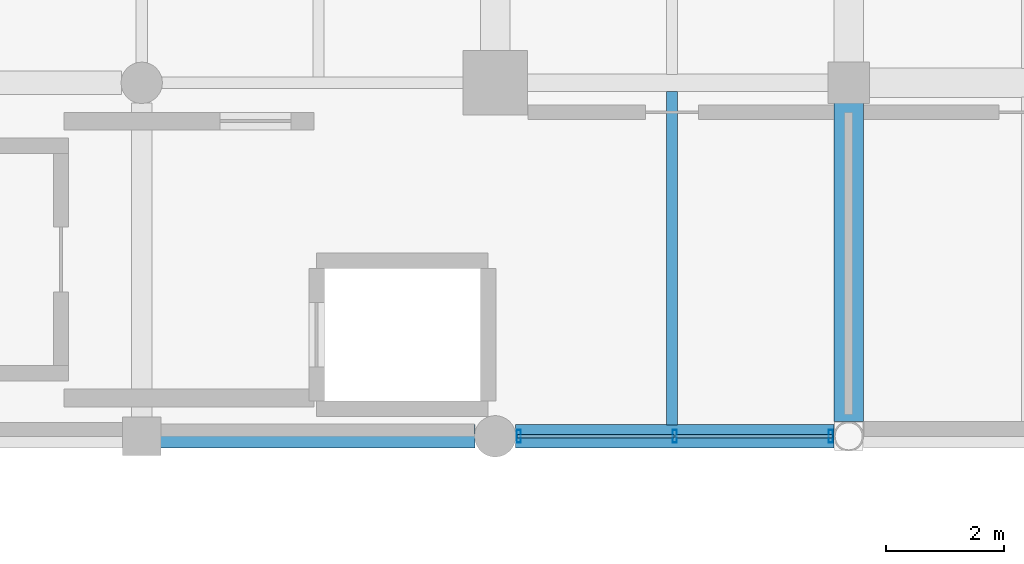
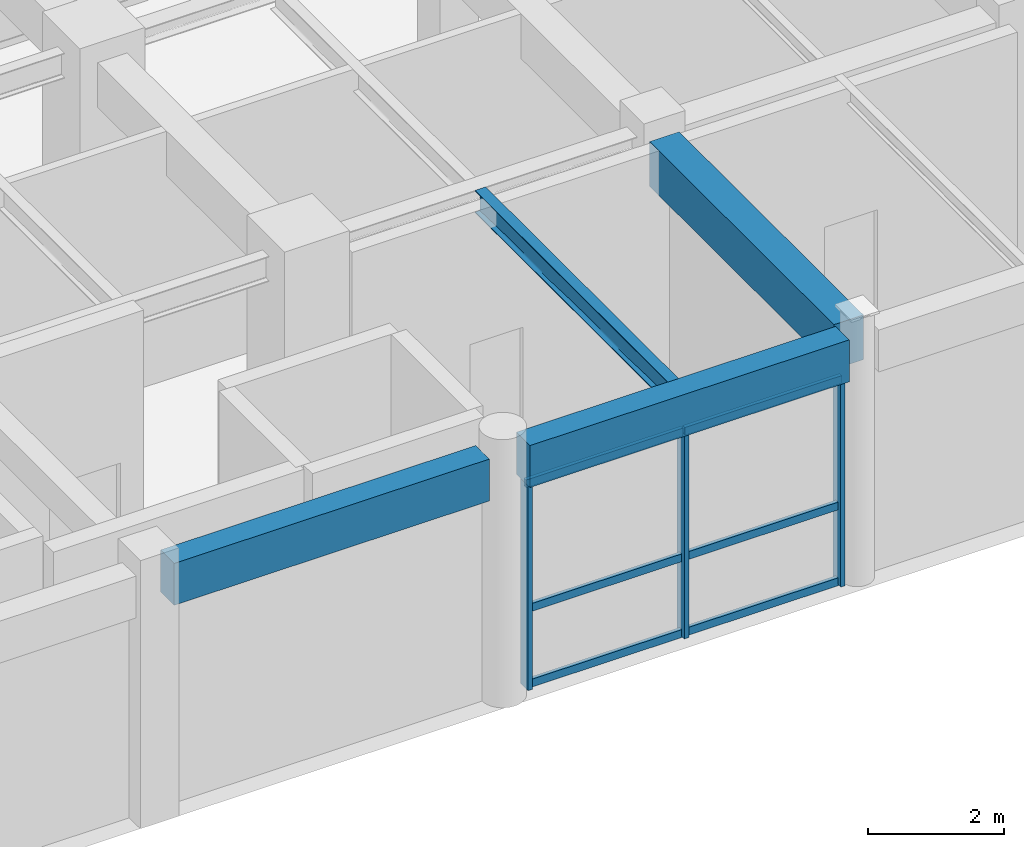
# One storey, part 59 of 123: 9 members, 4 beams, 1 element without a shape of its own.
"""IFC4 building model written with IfcOpenShell, lengths in metres."""

from ifc_helpers import new_model, si_unit, direction, frame, origin, origin_2d, place, context, subcontext, project, spatial, rectangle, hollow_rectangle, i_section, extrude, material, material_profile, profile_set, type_object, element, aggregate, save


model = new_model("IFC4")

# Units and contexts
model_context = context("Model", 3, precision=1e-05, world=origin(), true_north=direction((0.0, 1.0)))
body_context = subcontext(model_context, "Body", "Model", "MODEL_VIEW")
ifc_project = project(units=[si_unit("LENGTHUNIT", "METRE"), si_unit("AREAUNIT", "SQUARE_METRE"), si_unit("VOLUMEUNIT", "CUBIC_METRE"), si_unit("PLANEANGLEUNIT", "RADIAN"), si_unit("MASSUNIT", "GRAM", prefix="KILO"), si_unit("THERMODYNAMICTEMPERATUREUNIT", "KELVIN"), si_unit("POWERUNIT", "WATT")], contexts=[model_context])

# Site, building, storey
site_placement = place(None, origin())
site = spatial("IfcSite", under=ifc_project, at=site_placement, CompositionType="ELEMENT")
building_placement = place(site_placement, origin())
building = spatial("IfcBuilding", under=site, at=building_placement, Name="Phaisarnlok Congress Hotel", CompositionType="ELEMENT")
storey_placement = place(building_placement, frame((0.0, 0.0, 15.0)))
storey = spatial("IfcBuildingStorey", under=building, at=storey_placement, Name="L03", CompositionType="ELEMENT", Elevation=15.0)

# Beam
ifc_material_1 = material(Name="Concrete C40/50", Category="concrete")
ifc_material_profile_1 = material_profile(ifc_material_1, rectangle(XDim=0.5, YDim=0.800048828125, at=origin_2d()), Name="RC 500x800")
ifc_profile_set_1 = profile_set([ifc_material_profile_1], Name="Concrete C40/50")
beam_type_1 = type_object("IfcBeamType", Name="BM-RC-500x800", PredefinedType="BEAM", material=ifc_profile_set_1)
beam_1_placement = place(storey_placement, frame((126.0, 108.2490234375, 4.050048828125), z_axis=(0.0, 1.0, 0.0), x_axis=(-1.0, 0.0, 0.0)))
element("IfcBeam", 1, at=beam_1_placement, inside=storey, type_object=beam_type_1, Name="Beam B-04", PredefinedType="BEAM", context=body_context, shape_type="SweptSolid", body=[
    extrude(rectangle(XDim=0.5, YDim=0.800048828125, at=origin_2d()), origin(), (0.0, 0.0, 1.0), 5.406005859375),
])

# Curtain wall, members
ifc_material_2 = material(Name="Thermally Broken Unitised Aluminium & Low-E Glazing", Category="aluminium")
curtain_wall_type = type_object("IfcCurtainWallType", Name="CW-UNIT-31", PredefinedType="NOTDEFINED", material=ifc_material_2)
curtain_wall_placement = place(storey_placement, origin())
curtain_wall = element("IfcCurtainWall", 2, at=curtain_wall_placement, inside=storey, type_object=curtain_wall_type, Name="Unitised curtain wall CW-31 (L03)", PredefinedType="NOTDEFINED")
ifc_material_3 = material(Name="Anodised Aluminium Alloy 6063-T6", Category="aluminium")
ifc_material_profile_2 = material_profile(ifc_material_3, hollow_rectangle(XDim=0.074951171875, YDim=0.219970703125, WallThickness=0.0048828125, at=origin_2d()), Name="ALU-M 75x220x5")
ifc_profile_set_2 = profile_set([ifc_material_profile_2], Name="Anodised Aluminium Alloy 6063-T6")
member_type_1 = type_object("IfcMemberType", Name="CWM-220", PredefinedType="MULLION", material=ifc_profile_set_2)
member_1_placement = place(storey_placement, frame((120.39990234375, 108.0, 0.0), z_axis=(0.0, 0.0, 1.0), x_axis=(1.0, 0.0, 0.0)))
member_1 = element("IfcMember", 3, at=member_1_placement, type_object=member_type_1, Name="Curtain wall mullion CWM-02", PredefinedType="MULLION", context=body_context, shape_type="SweptSolid", body=[
    extrude(hollow_rectangle(XDim=0.074951171875, YDim=0.219970703125, WallThickness=0.0048828125, at=origin_2d()), origin(), (0.0, 0.0, 1.0), 3.699951171875),
])
member_2_placement = place(storey_placement, frame((123.048095703125, 108.0, 0.0), z_axis=(0.0, 0.0, 1.0), x_axis=(1.0, 0.0, 0.0)))
member_2 = element("IfcMember", 4, at=member_2_placement, type_object=member_type_1, Name="Curtain wall mullion CWM-02", PredefinedType="MULLION", context=body_context, shape_type="SweptSolid", body=[
    extrude(hollow_rectangle(XDim=0.074951171875, YDim=0.219970703125, WallThickness=0.0048828125, at=origin_2d()), origin(), (0.0, 0.0, 1.0), 3.699951171875),
])
member_3_placement = place(storey_placement, frame((125.696044921875, 108.0, 0.0), z_axis=(0.0, 0.0, 1.0), x_axis=(1.0, 0.0, 0.0)))
member_3 = element("IfcMember", 5, at=member_3_placement, type_object=member_type_1, Name="Curtain wall mullion CWM-02", PredefinedType="MULLION", context=body_context, shape_type="SweptSolid", body=[
    extrude(hollow_rectangle(XDim=0.074951171875, YDim=0.219970703125, WallThickness=0.0048828125, at=origin_2d()), origin(), (0.0, 0.0, 1.0), 3.699951171875),
])
ifc_material_profile_3 = material_profile(ifc_material_3, hollow_rectangle(XDim=0.06494140625, YDim=0.139892578125, WallThickness=0.00390625, at=origin_2d()), Name="ALU-T 65x140x4")
ifc_profile_set_3 = profile_set([ifc_material_profile_3], Name="Anodised Aluminium Alloy 6063-T6")
member_type_2 = type_object("IfcMemberType", Name="CWT-150", PredefinedType="USERDEFINED", material=ifc_profile_set_3)
member_4_placement = place(storey_placement, frame((120.375, 108.0, 0.050048828125), z_axis=(1.0, 0.0, 0.0), x_axis=(0.0, 1.0, 0.0)))
member_4 = element("IfcMember", 6, at=member_4_placement, type_object=member_type_2, Name="Curtain wall transom CWT-01", ObjectType="TRANSOM", PredefinedType="USERDEFINED", context=body_context, shape_type="SweptSolid", body=[
    extrude(hollow_rectangle(XDim=0.06494140625, YDim=0.139892578125, WallThickness=0.00390625, at=origin_2d()), origin(), (0.0, 0.0, 1.0), 2.657958984375),
])
member_5_placement = place(storey_placement, frame((120.375, 108.0, 1.406005859375), z_axis=(1.0, 0.0, 0.0), x_axis=(0.0, 1.0, 0.0)))
member_5 = element("IfcMember", 7, at=member_5_placement, type_object=member_type_2, Name="Curtain wall transom CWT-01", ObjectType="TRANSOM", PredefinedType="USERDEFINED", context=body_context, shape_type="SweptSolid", body=[
    extrude(hollow_rectangle(XDim=0.06494140625, YDim=0.139892578125, WallThickness=0.00390625, at=origin_2d()), origin(), (0.0, 0.0, 1.0), 2.657958984375),
])
member_6_placement = place(storey_placement, frame((120.375, 108.0, 3.64990234375), z_axis=(1.0, 0.0, 0.0), x_axis=(0.0, 1.0, 0.0)))
member_6 = element("IfcMember", 8, at=member_6_placement, type_object=member_type_2, Name="Curtain wall transom CWT-01", ObjectType="TRANSOM", PredefinedType="USERDEFINED", context=body_context, shape_type="SweptSolid", body=[
    extrude(hollow_rectangle(XDim=0.06494140625, YDim=0.139892578125, WallThickness=0.00390625, at=origin_2d()), origin(), (0.0, 0.0, 1.0), 2.657958984375),
])
member_7_placement = place(storey_placement, frame((123.06298828125, 108.0, 0.050048828125), z_axis=(1.0, 0.0, 0.0), x_axis=(0.0, 1.0, 0.0)))
member_7 = element("IfcMember", 9, at=member_7_placement, type_object=member_type_2, Name="Curtain wall transom CWT-01", ObjectType="TRANSOM", PredefinedType="USERDEFINED", context=body_context, shape_type="SweptSolid", body=[
    extrude(hollow_rectangle(XDim=0.06494140625, YDim=0.139892578125, WallThickness=0.00390625, at=origin_2d()), origin(), (0.0, 0.0, 1.0), 2.657958984375),
])
member_8_placement = place(storey_placement, frame((123.06298828125, 108.0, 1.406005859375), z_axis=(1.0, 0.0, 0.0), x_axis=(0.0, 1.0, 0.0)))
member_8 = element("IfcMember", 10, at=member_8_placement, type_object=member_type_2, Name="Curtain wall transom CWT-01", ObjectType="TRANSOM", PredefinedType="USERDEFINED", context=body_context, shape_type="SweptSolid", body=[
    extrude(hollow_rectangle(XDim=0.06494140625, YDim=0.139892578125, WallThickness=0.00390625, at=origin_2d()), origin(), (0.0, 0.0, 1.0), 2.657958984375),
])
member_9_placement = place(storey_placement, frame((123.06298828125, 108.0, 3.64990234375), z_axis=(1.0, 0.0, 0.0), x_axis=(0.0, 1.0, 0.0)))
member_9 = element("IfcMember", 11, at=member_9_placement, type_object=member_type_2, Name="Curtain wall transom CWT-01", ObjectType="TRANSOM", PredefinedType="USERDEFINED", context=body_context, shape_type="SweptSolid", body=[
    extrude(hollow_rectangle(XDim=0.06494140625, YDim=0.139892578125, WallThickness=0.00390625, at=origin_2d()), origin(), (0.0, 0.0, 1.0), 2.657958984375),
])
aggregate(curtain_wall, [member_1, member_2, member_3, member_4, member_5, member_6, member_7, member_8, member_9])

# Beams
ifc_material_4 = material(Name="Steel S355", Category="steel")
ifc_material_profile_4 = material_profile(ifc_material_4, i_section(OverallWidth=0.179931640625, OverallDepth=0.39990234375, WebThickness=0.008544921875, FlangeThickness=0.013427734375, FilletRadius=0.02099609375, at=origin_2d()), Name="IPE 400")
ifc_profile_set_4 = profile_set([ifc_material_profile_4], Name="Steel S355")
beam_type_2 = type_object("IfcBeamType", Name="JS-STL-IPE400", PredefinedType="JOIST", material=ifc_profile_set_4)
beam_2_placement = place(storey_placement, frame((123.0, 108.195068359375, 4.25), z_axis=(0.0, 1.0, 0.0), x_axis=(-1.0, 0.0, 0.0)))
element("IfcBeam", 12, at=beam_2_placement, inside=storey, type_object=beam_type_2, Name="Secondary floor joist J-05", PredefinedType="JOIST", context=body_context, shape_type="SweptSolid", body=[
    extrude(i_section(OverallWidth=0.179931640625, OverallDepth=0.39990234375, WebThickness=0.008544921875, FlangeThickness=0.013427734375, FilletRadius=0.02099609375, at=origin_2d()), origin(), (0.0, 0.0, 1.0), 5.659912109375),
])
ifc_material_profile_5 = material_profile(ifc_material_1, rectangle(XDim=0.39990234375, YDim=0.75, at=origin_2d()), Name="RC 400x750")
ifc_profile_set_5 = profile_set([ifc_material_profile_5], Name="Concrete C40/50")
beam_type_3 = type_object("IfcBeamType", Name="SP-RC-400x750", PredefinedType="SPANDREL", material=ifc_profile_set_5)
beam_3_placement = place(storey_placement, frame((114.320068359375, 108.0, 4.074951171875), z_axis=(1.0, 0.0, 0.0), x_axis=(0.0, 1.0, 0.0)))
element("IfcBeam", 13, at=beam_3_placement, inside=storey, type_object=beam_type_3, Name="Beam SP-02", PredefinedType="SPANDREL", context=body_context, shape_type="SweptSolid", body=[
    extrude(rectangle(XDim=0.39990234375, YDim=0.75, at=origin_2d()), origin(), (0.0, 0.0, 1.0), 5.3349609375),
])
beam_4_placement = place(storey_placement, frame((120.344970703125, 108.0, 4.074951171875), z_axis=(1.0, 0.0, 0.0), x_axis=(0.0, 1.0, 0.0)))
element("IfcBeam", 14, at=beam_4_placement, inside=storey, type_object=beam_type_3, Name="Beam SP-02", PredefinedType="SPANDREL", context=body_context, shape_type="SweptSolid", body=[
    extrude(rectangle(XDim=0.39990234375, YDim=0.75, at=origin_2d()), origin(), (0.0, 0.0, 1.0), 5.406005859375),
])

save(model, "model.ifc")
